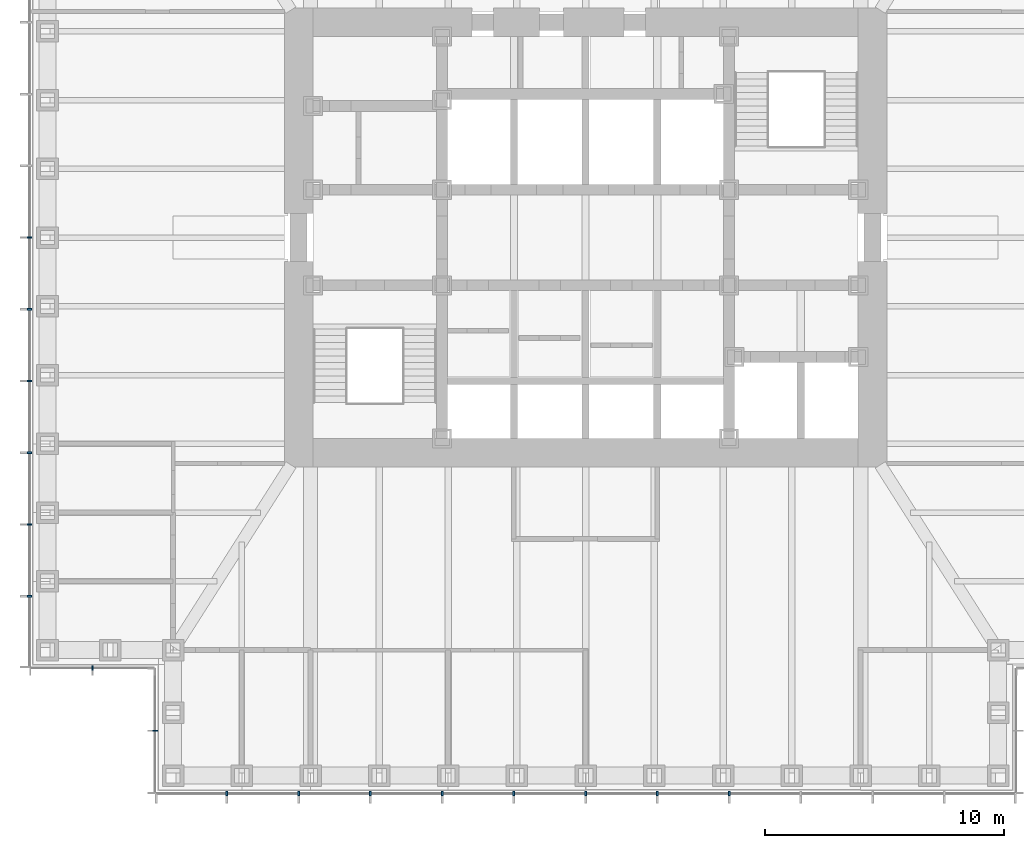
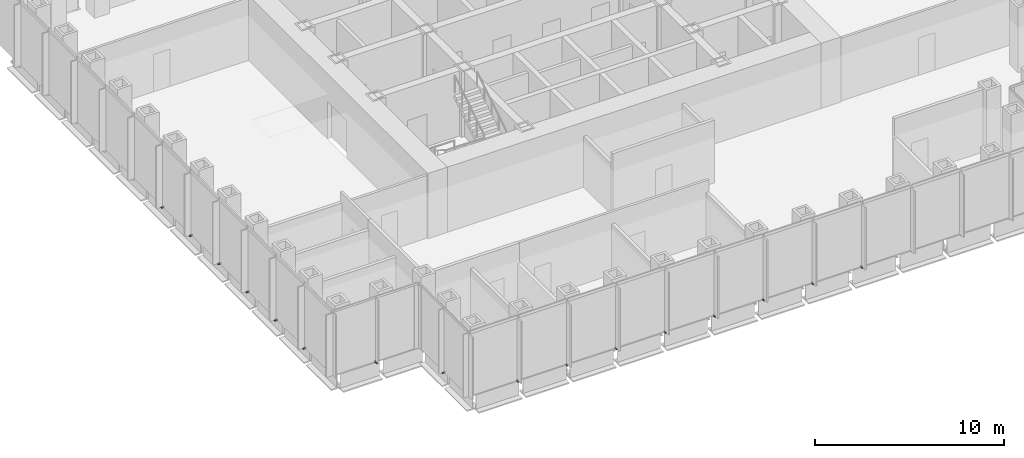
# One storey, part 11 of 16: 16 discrete accessories.
"""IFC4 building model written with IfcOpenShell, lengths in metres."""

from ifc_helpers import new_model, si_unit, direction, frame, origin, origin_2d, place, context, subcontext, project, spatial, rectangle, extrude, element, save


model = new_model("IFC4")

# Units and contexts
model_context = context("Model", 3, precision=1e-05, world=origin(), true_north=direction((0.0, 1.0)))
body_context = subcontext(model_context, "Body", "Model", "MODEL_VIEW")
ifc_project = project(units=[si_unit("LENGTHUNIT", "METRE"), si_unit("AREAUNIT", "SQUARE_METRE"), si_unit("VOLUMEUNIT", "CUBIC_METRE"), si_unit("PLANEANGLEUNIT", "RADIAN"), si_unit("MASSUNIT", "GRAM", prefix="KILO")], contexts=[model_context])

# Site, building, storey
site_placement = place(None, origin())
site = spatial("IfcSite", under=ifc_project, at=site_placement, CompositionType="ELEMENT")
building_placement = place(site_placement, origin())
building = spatial("IfcBuilding", under=site, at=building_placement, Name="Daluyong Arena Tower", CompositionType="ELEMENT")
storey_placement = place(building_placement, frame((0.0, 0.0, 120.699951171875)))
storey = spatial("IfcBuildingStorey", under=building, at=storey_placement, Name="L26", CompositionType="ELEMENT", Elevation=120.699951171875)

# Discrete accessories
for number, where, z_axis, x_axis, name in (
    (1, (41.0, 56.75, -0.10009765625), (0.0, 0.0, 1.0), (1.0, 0.0, 0.0), "curtain wall L26 S anchor bracket 2"),
    (2, (44.0, 56.75, -0.10009765625), (0.0, 0.0, 1.0), (1.0, 0.0, 0.0), "curtain wall L26 S anchor bracket 3"),
    (3, (47.0, 56.75, -0.10009765625), (0.0, 0.0, 1.0), (1.0, 0.0, 0.0), "curtain wall L26 S anchor bracket 4"),
    (4, (50.0, 56.75, -0.10009765625), (0.0, 0.0, 1.0), (1.0, 0.0, 0.0), "curtain wall L26 S anchor bracket 5"),
    (5, (53.0, 56.75, -0.10009765625), (0.0, 0.0, 1.0), (1.0, 0.0, 0.0), "curtain wall L26 S anchor bracket 6"),
    (6, (56.0, 56.75, -0.10009765625), (0.0, 0.0, 1.0), (1.0, 0.0, 0.0), "curtain wall L26 S anchor bracket 7"),
    (7, (59.0, 56.75, -0.10009765625), (0.0, 0.0, 1.0), (1.0, 0.0, 0.0), "curtain wall L26 S anchor bracket 8"),
    (8, (62.0, 56.75, -0.10009765625), (0.0, 0.0, 1.0), (1.0, 0.0, 0.0), "curtain wall L26 S anchor bracket 9"),
    (9, (32.75, 80.0, -0.10009765625), (0.0, 0.0, 1.0), (0.0, -1.0, 0.0), "curtain wall L26 W anchor bracket 7"),
    (10, (32.75, 77.0, -0.10009765625), (0.0, 0.0, 1.0), (0.0, -1.0, 0.0), "curtain wall L26 W anchor bracket 8"),
    (11, (32.75, 74.0, -0.10009765625), (0.0, 0.0, 1.0), (0.0, -1.0, 0.0), "curtain wall L26 W anchor bracket 9"),
    (12, (32.75, 71.0, -0.10009765625), (0.0, 0.0, 1.0), (0.0, -1.0, 0.0), "curtain wall L26 W anchor bracket 10"),
    (13, (32.75, 68.0, -0.10009765625), (0.0, 0.0, 1.0), (0.0, -1.0, 0.0), "curtain wall L26 W anchor bracket 11"),
    (14, (32.75, 65.0, -0.10009765625), (0.0, 0.0, 1.0), (0.0, -1.0, 0.0), "curtain wall L26 W anchor bracket 12"),
):
    element("IfcDiscreteAccessory", number, at=place(storey_placement, frame(where, z_axis=z_axis, x_axis=x_axis)), inside=storey, Name=name, PredefinedType="BRACKET", context=body_context, shape_type="SweptSolid", body=[
        extrude(rectangle(XDim=0.080078125, YDim=0.199951171875, at=origin_2d()), origin(), (0.0, 0.0, 1.0), 0.10009765625),
    ])
for number, where, z_axis, x_axis, name in (
    (15, (35.375, 62.0, -0.10009765625), (0.0, 0.0, 1.0), (1.0, 0.0, 0.0), "curtain wall L26 SW-S anchor bracket 2"),
    (16, (38.0, 59.375, -0.10009765625), (0.0, 0.0, 1.0), (0.0, -1.0, 0.0), "curtain wall L26 SW-W anchor bracket 2"),
):
    element("IfcDiscreteAccessory", number, at=place(storey_placement, frame(where, z_axis=z_axis, x_axis=x_axis)), inside=storey, Name=name, PredefinedType="BRACKET", context=body_context, shape_type="SweptSolid", body=[
        extrude(rectangle(XDim=0.06005859375, YDim=0.199951171875, at=origin_2d()), origin(), (0.0, 0.0, 1.0), 0.10009765625),
    ])

save(model, "model.ifc")
